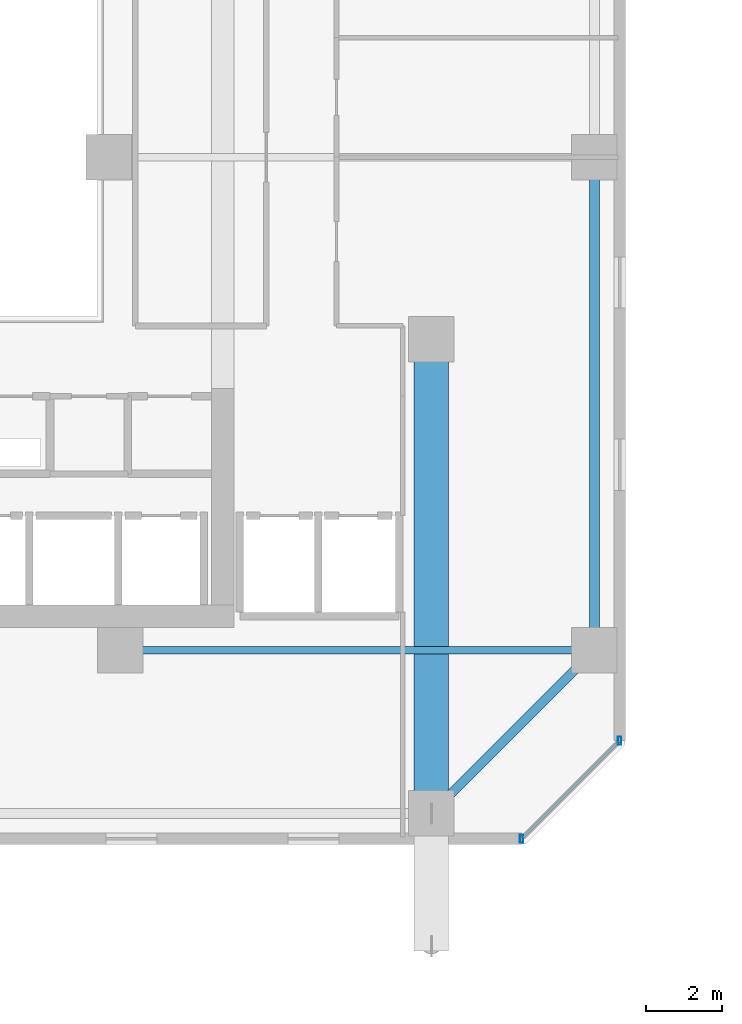
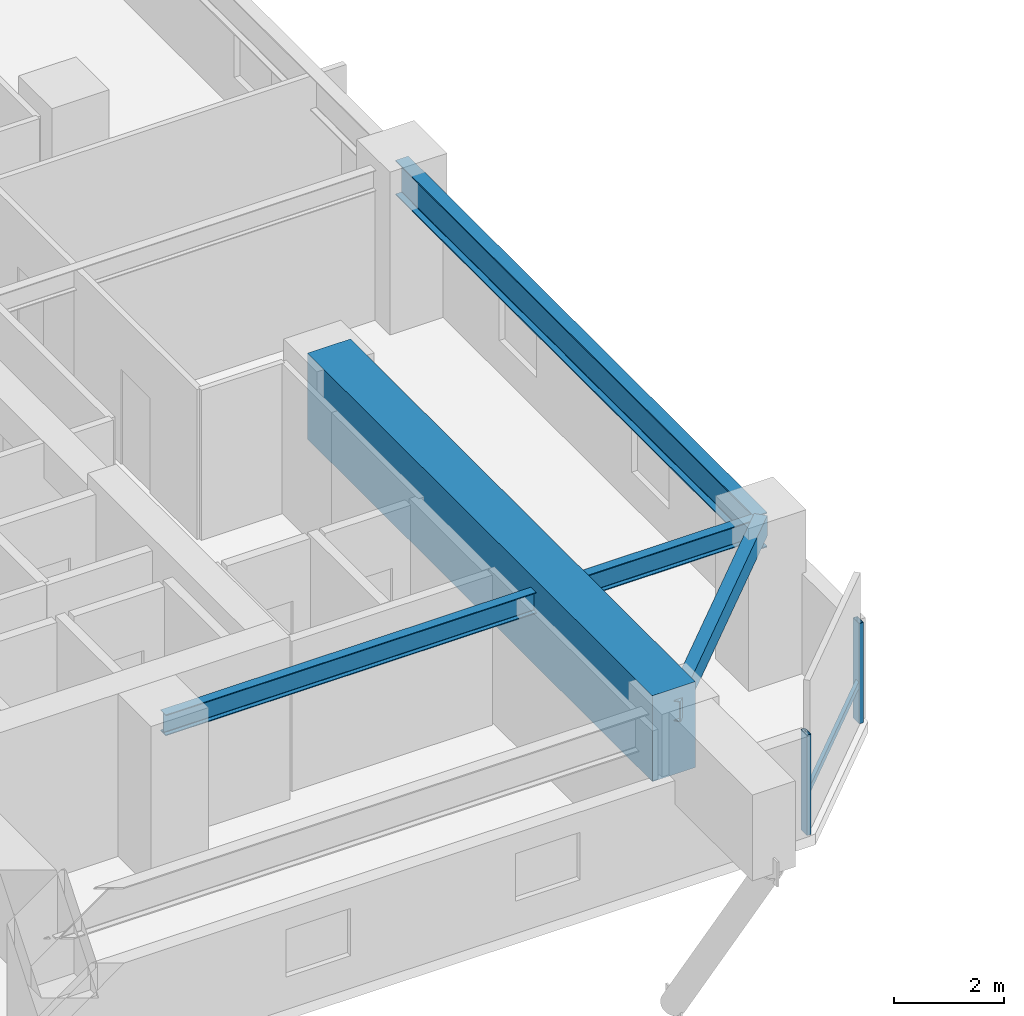
# One storey, part 5 of 36: 4 beams, 3 members, 1 element without a shape of its own.
"""IFC4 building model written with IfcOpenShell, lengths in metres."""

from ifc_helpers import new_model, si_unit, direction, frame, origin, origin_2d, place, context, subcontext, project, spatial, rectangle, hollow_rectangle, i_section, extrude, material, material_profile, profile_set, type_object, element, aggregate, save


model = new_model("IFC4")

# Units and contexts
model_context = context("Model", 3, precision=1e-05, world=origin(), true_north=direction((0.0, 1.0)))
body_context = subcontext(model_context, "Body", "Model", "MODEL_VIEW")
ifc_project = project(units=[si_unit("LENGTHUNIT", "METRE"), si_unit("AREAUNIT", "SQUARE_METRE"), si_unit("VOLUMEUNIT", "CUBIC_METRE"), si_unit("PLANEANGLEUNIT", "RADIAN"), si_unit("MASSUNIT", "GRAM", prefix="KILO")], contexts=[model_context])

# Site, building, storey
site_placement = place(None, origin())
site = spatial("IfcSite", under=ifc_project, at=site_placement, CompositionType="ELEMENT")
building_placement = place(site_placement, origin())
building = spatial("IfcBuilding", under=site, at=building_placement, Name="Thornwick Lancets Civic Towers", CompositionType="ELEMENT")
storey_placement = place(building_placement, frame((0.0, 0.0, 116.10009765625)))
storey = spatial("IfcBuildingStorey", under=building, at=storey_placement, Name="L30", CompositionType="ELEMENT", Elevation=116.10009765625)

# Beams
ifc_material_1 = material(Name="Steel S355JR", Category="steel")
ifc_material_profile_1 = material_profile(ifc_material_1, i_section(OverallWidth=0.26806640625, OverallDepth=0.769775390625, WebThickness=0.015625, FlangeThickness=0.025390625, FilletRadius=0.0166015625, at=origin_2d()), Name="UKB 762x267x197")
ifc_profile_set_1 = profile_set([ifc_material_profile_1], Name="Steel S355JR")
beam_type_1 = type_object("IfcBeamType", Name="BM_GIRD_762_197", PredefinedType="BEAM", material=ifc_profile_set_1)
beam_1_placement = place(storey_placement, frame((42.800048828125, 14.0, 2.955078125), z_axis=(0.0, 1.0, 0.0), x_axis=(-1.0, 0.0, 0.0)))
element("IfcBeam", 1, at=beam_1_placement, inside=storey, type_object=beam_type_1, Name="BM-SPINE-L30-A-3-4", PredefinedType="BEAM", context=body_context, shape_type="SweptSolid", body=[
    extrude(i_section(OverallWidth=0.26806640625, OverallDepth=0.769775390625, WebThickness=0.015625, FlangeThickness=0.025390625, FilletRadius=0.0166015625, at=origin_2d()), origin(), (0.0, 0.0, 1.0), 13.0),
])
ifc_material_profile_2 = material_profile(ifc_material_1, i_section(OverallWidth=0.19189453125, OverallDepth=0.46337890625, WebThickness=0.010498046875, FlangeThickness=0.017578125, FilletRadius=0.01025390625, at=origin_2d()), Name="UKB 457x191x89")
ifc_profile_set_2 = profile_set([ifc_material_profile_2], Name="Steel S355JR")
beam_type_2 = type_object("IfcBeamType", Name="BM_JOIST_457_89", PredefinedType="JOIST", material=ifc_profile_set_2)
beam_2_placement = place(storey_placement, frame((30.300048828125, 14.0, 3.108154296875), z_axis=(1.0, 0.0, 0.0), x_axis=(0.0, 1.0, 0.0)))
element("IfcBeam", 2, at=beam_2_placement, inside=storey, type_object=beam_type_2, Name="BM-RADIN-L30-A04", PredefinedType="JOIST", context=body_context, shape_type="SweptSolid", body=[
    extrude(i_section(OverallWidth=0.19189453125, OverallDepth=0.46337890625, WebThickness=0.010498046875, FlangeThickness=0.017578125, FilletRadius=0.01025390625, at=origin_2d()), origin(), (0.0, 0.0, 1.0), 12.5),
])
ifc_material_profile_3 = material_profile(ifc_material_1, hollow_rectangle(XDim=0.25, YDim=0.449951171875, WallThickness=0.01611328125, at=origin_2d()), Name="RHS 450x250x16")
ifc_profile_set_3 = profile_set([ifc_material_profile_3], Name="Steel S355JR")
beam_type_3 = type_object("IfcBeamType", Name="BM_RING_RHS450", PredefinedType="BEAM", material=ifc_profile_set_3)
beam_3_placement = place(storey_placement, frame((38.5, 9.699951171875, 3.114990234375), z_axis=(0.707106781187, 0.707106781187, 0.0), x_axis=(-0.707106781187, 0.707106781187, 0.0)))
element("IfcBeam", 3, at=beam_3_placement, inside=storey, type_object=beam_type_3, Name="BM-CHAMF-L30-A-C0", PredefinedType="BEAM", context=body_context, shape_type="SweptSolid", body=[
    extrude(hollow_rectangle(XDim=0.25, YDim=0.449951171875, WallThickness=0.01611328125, at=origin_2d()), origin(), (0.0, 0.0, 1.0), 6.081298828125),
])
ifc_material_2 = material(Name="Concrete C60/75", Category="concrete")
ifc_material_profile_4 = material_profile(ifc_material_2, rectangle(XDim=0.89990234375, YDim=1.89990234375, at=origin_2d()), Name="RC 900x1900")
ifc_profile_set_4 = profile_set([ifc_material_profile_4], Name="Concrete C60/75")
beam_type_4 = type_object("IfcBeamType", Name="BM_TR_RC1900", PredefinedType="BEAM", material=ifc_profile_set_4)
beam_4_placement = place(storey_placement, frame((38.5, 22.199951171875, 2.64990234375), z_axis=(0.0, -1.0, 0.0), x_axis=(1.0, 0.0, 0.0)))
element("IfcBeam", 4, at=beam_4_placement, inside=storey, type_object=beam_type_4, Name="TG-BACK-L31-A03", PredefinedType="BEAM", context=body_context, shape_type="SweptSolid", body=[
    extrude(rectangle(XDim=0.89990234375, YDim=1.89990234375, at=origin_2d()), origin(), (0.0, 0.0, 1.0), 12.5),
])

# Curtain wall, members
ifc_material_3 = material(Name="Low-zone chamfered-corner unitised glass curtain wall", Category="glass")
curtain_wall_type = type_object("IfcCurtainWallType", Name="CW_SYS_03", PredefinedType="NOTDEFINED", material=ifc_material_3)
curtain_wall_placement = place(storey_placement, origin())
curtain_wall = element("IfcCurtainWall", 5, at=curtain_wall_placement, inside=storey, type_object=curtain_wall_type, Name="L30 Curtain Wall CW-L30-A-E1", PredefinedType="NOTDEFINED")
ifc_material_4 = material(Name="Thermally broken bronze aluminium S355", Category="steel")
ifc_material_profile_5 = material_profile(ifc_material_4, hollow_rectangle(XDim=0.090087890625, YDim=0.219970703125, WallThickness=0.00634765625, at=origin_2d()), Name="RHS 220x90x6.3")
ifc_profile_set_5 = profile_set([ifc_material_profile_5], Name="Thermally broken bronze aluminium S355")
member_type_1 = type_object("IfcMemberType", Name="CW_MUL_220", PredefinedType="MULLION", material=ifc_profile_set_5)
member_1_placement = place(storey_placement, frame((40.88134765625, 9.035400390625, 0.0), z_axis=(0.0, 0.0, 1.0), x_axis=(1.0, 0.0, 0.0)))
member_1 = element("IfcMember", 6, at=member_1_placement, type_object=member_type_1, Name="CW-L30-A-E1 Mullion 0", PredefinedType="MULLION", context=body_context, shape_type="SweptSolid", body=[
    extrude(hollow_rectangle(XDim=0.090087890625, YDim=0.219970703125, WallThickness=0.00634765625, at=origin_2d()), origin(), (0.0, 0.0, 1.0), 2.219970703125),
])
member_2_placement = place(storey_placement, frame((43.464599609375, 11.61865234375, 0.0), z_axis=(0.0, 0.0, 1.0), x_axis=(1.0, 0.0, 0.0)))
member_2 = element("IfcMember", 7, at=member_2_placement, type_object=member_type_1, Name="CW-L30-A-E1 Mullion 1", PredefinedType="MULLION", context=body_context, shape_type="SweptSolid", body=[
    extrude(hollow_rectangle(XDim=0.090087890625, YDim=0.219970703125, WallThickness=0.00634765625, at=origin_2d()), origin(), (0.0, 0.0, 1.0), 2.219970703125),
])
ifc_material_profile_6 = material_profile(ifc_material_4, hollow_rectangle(XDim=0.074951171875, YDim=0.14990234375, WallThickness=0.0048828125, at=origin_2d()), Name="RHS 150x75x5")
ifc_profile_set_6 = profile_set([ifc_material_profile_6], Name="Thermally broken bronze aluminium S355")
member_type_2 = type_object("IfcMemberType", Name="CW_TRN_150", PredefinedType="USERDEFINED", material=ifc_profile_set_6)
member_3_placement = place(storey_placement, frame((40.8955078125, 9.04931640625, 0.849853515625), z_axis=(0.707106781187, 0.707106781187, 0.0), x_axis=(-0.707106781187, 0.707106781187, 0.0)))
member_3 = element("IfcMember", 8, at=member_3_placement, type_object=member_type_2, Name="CW-L30-A-E1 Transom 0", ObjectType="TRANSOM", PredefinedType="USERDEFINED", context=body_context, shape_type="SweptSolid", body=[
    extrude(hollow_rectangle(XDim=0.074951171875, YDim=0.14990234375, WallThickness=0.0048828125, at=origin_2d()), origin(), (0.0, 0.0, 1.0), 3.613525390625),
])
aggregate(curtain_wall, [member_1, member_2, member_3])

save(model, "model.ifc")
